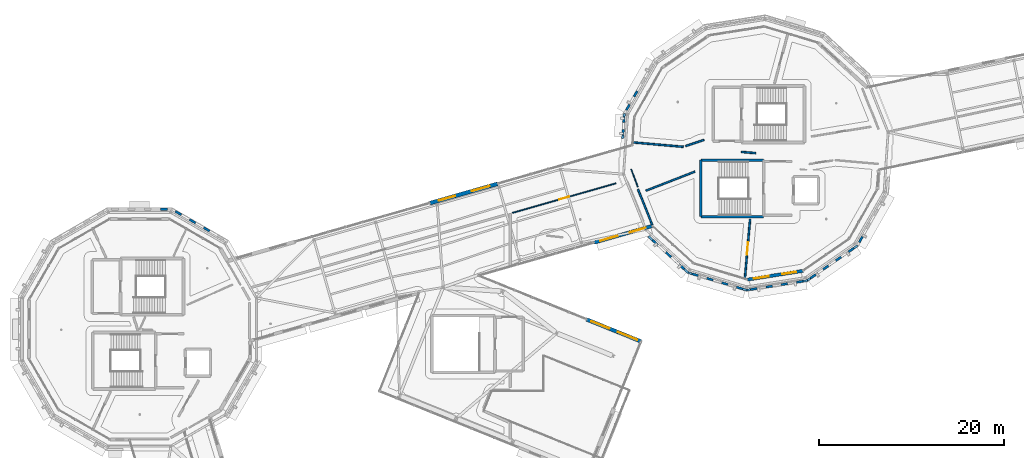
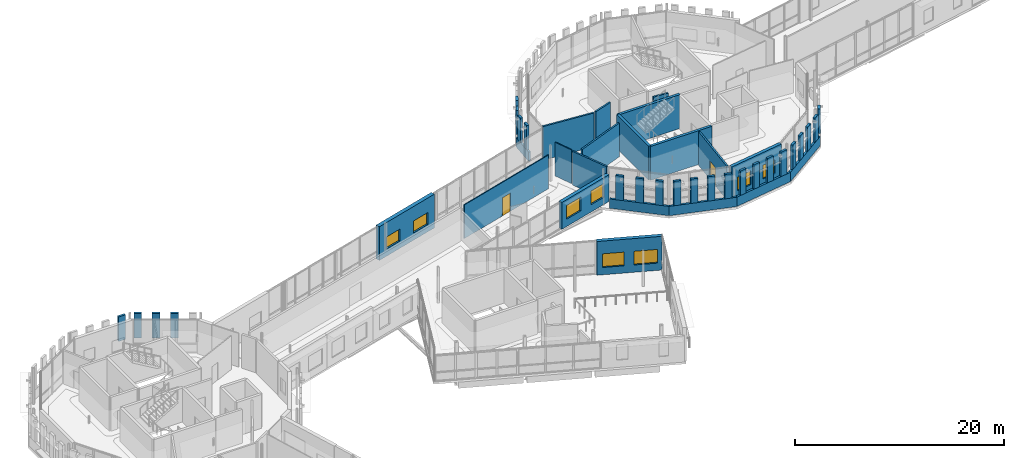
# One storey, part 95 of 125: 44 walls, 8 windows, 2 doors, 10 openings.
"""IFC4 building model written with IfcOpenShell, lengths in metres."""

from ifc_helpers import new_model, si_unit, direction, frame, frame_2d, origin, place, context, subcontext, project, spatial, rectangle, extrude, material, layer, layer_set, type_object, element, fill, save


model = new_model("IFC4")

# Units and contexts
model_context = context("Model", 3, precision=1e-05, world=origin(), true_north=direction((0.0, 1.0)))
body_context = subcontext(model_context, "Body", "Model", "MODEL_VIEW")
ifc_project = project(units=[si_unit("LENGTHUNIT", "METRE"), si_unit("AREAUNIT", "SQUARE_METRE"), si_unit("VOLUMEUNIT", "CUBIC_METRE"), si_unit("PLANEANGLEUNIT", "RADIAN"), si_unit("MASSUNIT", "GRAM", prefix="KILO")], contexts=[model_context])

# Site, building, storey
site_placement = place(None, origin())
site = spatial("IfcSite", under=ifc_project, at=site_placement, CompositionType="ELEMENT")
building_placement = place(site_placement, origin())
building = spatial("IfcBuilding", under=site, at=building_placement, Name="Wrenclough Park School", CompositionType="ELEMENT")
storey_placement = place(building_placement, frame((0.0, 0.0, 4.199951171875)))
storey = spatial("IfcBuildingStorey", under=building, at=storey_placement, Name="L01", CompositionType="ELEMENT", Elevation=4.199951171875)

# Walls
ifc_material_1 = material(Name="Perforated open-bond Staffordshire and Manchester brick screen pier", Category="masonry")
ifc_layer_1 = layer(ifc_material_1, 0.2451171875)
ifc_layer_set_1 = layer_set([ifc_layer_1], Name="Perforated open-bond Staffordshire and Manchester brick screen pier")
wall_type_1 = type_object("IfcWallType", Name="ENV-BS-PR245", PredefinedType="ELEMENTEDWALL", material=ifc_layer_set_1)
wall_1_placement = place(storey_placement, frame((24.060302734375, 100.095947265625, 1.090087890625), z_axis=(0.0, 0.0, 1.0), x_axis=(-0.865915952323, 0.500189527592, 0.0)))
element("IfcWall", 1, at=wall_1_placement, inside=storey, type_object=wall_type_1, Name="D3 L01 perforated brick screen pier 0278", PredefinedType="ELEMENTEDWALL", context=body_context, shape_type="SweptSolid", body=[
    extrude(rectangle(XDim=0.739013671875, YDim=0.2451171875, at=frame_2d((0.36962890625, 0.0))), origin(), (0.0, 0.0, 1.0), 2.849853515625),
])
wall_2_placement = place(storey_placement, frame((22.5361328125, 100.97607421875, 1.090087890625), z_axis=(0.0, 0.0, 1.0), x_axis=(-0.866059033742, 0.499941746681, 0.0)))
element("IfcWall", 2, at=wall_2_placement, inside=storey, type_object=wall_type_1, Name="D3 L01 perforated brick screen pier 0279", PredefinedType="ELEMENTEDWALL", context=body_context, shape_type="SweptSolid", body=[
    extrude(rectangle(XDim=0.73876953125, YDim=0.2451171875, at=frame_2d((0.369384765625, 0.0))), origin(), (0.0, 0.0, 1.0), 2.849853515625),
])
for number, where, z_axis, x_axis, name in (
    (3, (21.011962890625, 101.85595703125, 1.090087890625), (0.0, 0.0, 1.0), (-0.865915952323, 0.500189527592, 0.0), "D3 L01 perforated brick screen pier 0280"),
    (4, (19.509521484375, 102.45654296875, 1.090087890625), (0.0, 0.0, 1.0), (-1.0, 0.0, 0.0), "D3 L01 perforated brick screen pier 0281"),
):
    element("IfcWall", number, at=place(storey_placement, frame(where, z_axis=z_axis, x_axis=x_axis)), inside=storey, type_object=wall_type_1, Name=name, PredefinedType="ELEMENTEDWALL", context=body_context, shape_type="SweptSolid", body=[
        extrude(rectangle(XDim=0.739013671875, YDim=0.2451171875, at=frame_2d((0.36962890625, 0.0))), origin(), (0.0, 0.0, 1.0), 2.849853515625),
    ])
wall_3_placement = place(storey_placement, frame((70.19873046875, 115.207275390625, 1.090087890625), z_axis=(0.0, 0.0, 1.0), x_axis=(-0.493548557981, -0.869718242257, 0.0)))
element("IfcWall", 5, at=wall_3_placement, inside=storey, type_object=wall_type_1, Name="D4 L01 perforated brick screen pier 0327", PredefinedType="ELEMENTEDWALL", context=body_context, shape_type="SweptSolid", body=[
    extrude(rectangle(XDim=0.700927734375, YDim=0.2451171875, at=frame_2d((0.3505859375, 0.0))), origin(), (0.0, 0.0, 1.0), 2.849853515625),
])
wall_4_placement = place(storey_placement, frame((69.375, 113.755859375, 1.090087890625), z_axis=(0.0, 0.0, 1.0), x_axis=(-0.49339908657, -0.869803047461, 0.0)))
element("IfcWall", 6, at=wall_4_placement, inside=storey, type_object=wall_type_1, Name="D4 L01 perforated brick screen pier 0328", PredefinedType="ELEMENTEDWALL", context=body_context, shape_type="SweptSolid", body=[
    extrude(rectangle(XDim=0.701171875, YDim=0.2451171875, at=frame_2d((0.3505859375, 0.0))), origin(), (0.0, 0.0, 1.0), 2.849853515625),
])
wall_5_placement = place(storey_placement, frame((68.78662109375, 112.40478515625, 1.090087890625), z_axis=(0.0, 0.0, 1.0), x_axis=(-0.067277250526, -0.997734319126, 0.0)))
element("IfcWall", 7, at=wall_5_placement, inside=storey, type_object=wall_type_1, Name="D4 L01 perforated brick screen pier 0329", PredefinedType="ELEMENTEDWALL", context=body_context, shape_type="SweptSolid", body=[
    extrude(rectangle(XDim=0.576904296875, YDim=0.2451171875, at=frame_2d((0.28857421875, 0.0))), origin(), (0.0, 0.0, 1.0), 2.849853515625),
])
wall_6_placement = place(storey_placement, frame((68.694091796875, 111.034912109375, 1.090087890625), z_axis=(0.0, 0.0, 1.0), x_axis=(-0.066827806151, -0.997764523485, 0.0)))
element("IfcWall", 8, at=wall_6_placement, inside=storey, type_object=wall_type_1, Name="D4 L01 perforated brick screen pier 0330", PredefinedType="ELEMENTEDWALL", context=body_context, shape_type="SweptSolid", body=[
    extrude(rectangle(XDim=0.5771484375, YDim=0.2451171875, at=frame_2d((0.28857421875, 0.0))), origin(), (0.0, 0.0, 1.0), 2.849853515625),
])
wall_7_placement = place(storey_placement, frame((71.850830078125, 99.122314453125, 1.090087890625), z_axis=(0.0, 0.0, 1.0), x_axis=(0.738033381673, -0.674764201434, 0.0)))
element("IfcWall", 9, at=wall_7_placement, inside=storey, type_object=wall_type_1, Name="D4 L01 perforated brick screen pier 0331", PredefinedType="ELEMENTEDWALL", context=body_context, shape_type="SweptSolid", body=[
    extrude(rectangle(XDim=0.76025390625, YDim=0.2451171875, at=frame_2d((0.380126953125, 0.0))), origin(), (0.0, 0.0, 1.0), 2.849853515625),
])
wall_8_placement = place(storey_placement, frame((73.285888671875, 97.810546875, 1.090087890625), z_axis=(0.0, 0.0, 1.0), x_axis=(0.738047098779, -0.674749197839, 0.0)))
element("IfcWall", 10, at=wall_8_placement, inside=storey, type_object=wall_type_1, Name="D4 L01 perforated brick screen pier 0332", PredefinedType="ELEMENTEDWALL", context=body_context, shape_type="SweptSolid", body=[
    extrude(rectangle(XDim=0.759765625, YDim=0.2451171875, at=frame_2d((0.3798828125, 0.0))), origin(), (0.0, 0.0, 1.0), 2.849853515625),
])
wall_9_placement = place(storey_placement, frame((74.720703125, 96.4990234375, 1.090087890625), z_axis=(0.0, 0.0, 1.0), x_axis=(0.738033381673, -0.674764201434, 0.0)))
element("IfcWall", 11, at=wall_9_placement, inside=storey, type_object=wall_type_1, Name="D4 L01 perforated brick screen pier 0333", PredefinedType="ELEMENTEDWALL", context=body_context, shape_type="SweptSolid", body=[
    extrude(rectangle(XDim=0.76025390625, YDim=0.2451171875, at=frame_2d((0.380126953125, 0.0))), origin(), (0.0, 0.0, 1.0), 2.849853515625),
])
for number, where, z_axis, x_axis, name in (
    (12, (76.11279296875, 95.487060546875, 1.090087890625), (0.0, 0.0, 1.0), (0.957730379015, -0.287667379297, 0.0), "D4 L01 perforated brick screen pier 0334"),
    (13, (77.711181640625, 95.007080078125, 1.090087890625), (0.0, 0.0, 1.0), (0.957730379015, -0.287667379297, 0.0), "D4 L01 perforated brick screen pier 0335"),
    (14, (79.3095703125, 94.527099609375, 1.090087890625), (0.0, 0.0, 1.0), (0.957826285221, -0.287347885566, 0.0), "D4 L01 perforated brick screen pier 0336"),
    (15, (80.907958984375, 94.047119140625, 1.090087890625), (0.0, 0.0, 1.0), (0.957826285221, -0.287347885566, 0.0), "D4 L01 perforated brick screen pier 0337"),
    (16, (82.44091796875, 93.78759765625, 1.090087890625), (0.0, 0.0, 1.0), (0.987697931756, 0.156373896812, 0.0), "D4 L01 perforated brick screen pier 0338"),
    (17, (84.089111328125, 94.048583984375, 1.090087890625), (0.0, 0.0, 1.0), (0.987697931756, 0.156373896812, 0.0), "D4 L01 perforated brick screen pier 0339"),
    (18, (85.737548828125, 94.309814453125, 1.090087890625), (0.0, 0.0, 1.0), (0.987751666832, 0.156034113801, 0.0), "D4 L01 perforated brick screen pier 0340"),
    (19, (87.3857421875, 94.57080078125, 1.090087890625), (0.0, 0.0, 1.0), (0.987697931756, 0.156373896812, 0.0), "D4 L01 perforated brick screen pier 0341"),
    (20, (88.879638671875, 95.001953125, 1.090087890625), (0.0, 0.0, 1.0), (0.822004061083, 0.569481627064, 0.0), "D4 L01 perforated brick screen pier 0342"),
    (21, (90.251708984375, 95.952392578125, 1.090087890625), (0.0, 0.0, 1.0), (0.822004061083, 0.569481627064, 0.0), "D4 L01 perforated brick screen pier 0343"),
):
    element("IfcWall", number, at=place(storey_placement, frame(where, z_axis=z_axis, x_axis=x_axis)), inside=storey, type_object=wall_type_1, Name=name, PredefinedType="ELEMENTEDWALL", context=body_context, shape_type="SweptSolid", body=[
        extrude(rectangle(XDim=0.700927734375, YDim=0.2451171875, at=frame_2d((0.3505859375, 0.0))), origin(), (0.0, 0.0, 1.0), 2.849853515625),
    ])
wall_10_placement = place(storey_placement, frame((91.623291015625, 96.902587890625, 1.090087890625), z_axis=(0.0, 0.0, 1.0), x_axis=(0.821953993254, 0.569553889438, 0.0)))
element("IfcWall", 22, at=wall_10_placement, inside=storey, type_object=wall_type_1, Name="D4 L01 perforated brick screen pier 0344", PredefinedType="ELEMENTEDWALL", context=body_context, shape_type="SweptSolid", body=[
    extrude(rectangle(XDim=0.701171875, YDim=0.2451171875, at=frame_2d((0.3505859375, 0.0))), origin(), (0.0, 0.0, 1.0), 2.849853515625),
])
for number, where, z_axis, x_axis, name in (
    (23, (92.995361328125, 97.85302734375, 1.090087890625), (0.0, 0.0, 1.0), (0.822004061083, 0.569481627064, 0.0), "D4 L01 perforated brick screen pier 0345"),
    (24, (94.154052734375, 98.8896484375, 1.090087890625), (0.0, 0.0, 1.0), (0.493548557981, 0.869718242257, 0.0), "D4 L01 perforated brick screen pier 0346"),
):
    element("IfcWall", number, at=place(storey_placement, frame(where, z_axis=z_axis, x_axis=x_axis)), inside=storey, type_object=wall_type_1, Name=name, PredefinedType="ELEMENTEDWALL", context=body_context, shape_type="SweptSolid", body=[
        extrude(rectangle(XDim=0.700927734375, YDim=0.2451171875, at=frame_2d((0.3505859375, 0.0))), origin(), (0.0, 0.0, 1.0), 2.849853515625),
    ])
ifc_material_2 = material(Name="Open-bond Manchester multi-stock brick spandrel screen", Category="masonry")
ifc_layer_2 = layer(ifc_material_2, 0.22509765625)
ifc_layer_set_2 = layer_set([ifc_layer_2], Name="Open-bond Manchester multi-stock brick spandrel screen")
wall_type_2 = type_object("IfcWallType", Name="ENV-BS-SP225", PredefinedType="ELEMENTEDWALL", material=ifc_layer_set_2)
wall_11_placement = place(storey_placement, frame((68.813232421875, 112.802001953125, 0.0), z_axis=(0.0, 0.0, 1.0), x_axis=(-0.067209356194, -0.997738894922, 0.0)))
element("IfcWall", 25, at=wall_11_placement, inside=storey, type_object=wall_type_2, Name="D4 L01 open-bond brick screen spandrel 0089", PredefinedType="ELEMENTEDWALL", context=body_context, shape_type="SweptSolid", body=[
    extrude(rectangle(XDim=2.74609375, YDim=0.22509765625, at=frame_2d((1.373046875, 0.0))), origin(), (0.0, 0.0, 1.0), 1.090087890625),
])
wall_12_placement = place(storey_placement, frame((71.413818359375, 99.521484375, 0.0), z_axis=(0.0, 0.0, 1.0), x_axis=(0.73814554437, -0.674641501337, 0.0)))
element("IfcWall", 26, at=wall_12_placement, inside=storey, type_object=wall_type_2, Name="D4 L01 open-bond brick screen spandrel 0090", PredefinedType="ELEMENTEDWALL", context=body_context, shape_type="SweptSolid", body=[
    extrude(rectangle(XDim=5.83203125, YDim=0.22509765625, at=frame_2d((2.916015625, 0.0))), origin(), (0.0, 0.0, 1.0), 1.090087890625),
])
for number, where, z_axis, x_axis, name in (
    (27, (75.649169921875, 95.626220703125, 0.0), (0.0, 0.0, 1.0), (0.957749751871, -0.287602873404, 0.0), "D4 L01 open-bond brick screen spandrel 0091"),
    (28, (81.962890625, 93.7119140625, 0.0), (0.0, 0.0, 1.0), (0.987690206406, 0.156422684322, 0.0), "D4 L01 open-bond brick screen spandrel 0092"),
    (29, (88.48193359375, 94.726318359375, 0.0), (0.0, 0.0, 1.0), (0.822009139105, 0.56947429725, 0.0), "D4 L01 open-bond brick screen spandrel 0093"),
):
    element("IfcWall", number, at=place(storey_placement, frame(where, z_axis=z_axis, x_axis=x_axis)), inside=storey, type_object=wall_type_2, Name=name, PredefinedType="ELEMENTEDWALL", context=body_context, shape_type="SweptSolid", body=[
        extrude(rectangle(XDim=6.675537109375, YDim=0.22509765625, at=frame_2d((3.337890625, 0.0))), origin(), (0.0, 0.0, 1.0), 1.090087890625),
    ])

# Wall, openings, windows
ifc_material_3 = material(Name="Staffordshire blue-grey brick and Concrete C35/45 inner leaf", Category="masonry")
ifc_layer_3 = layer(ifc_material_3, 0.35009765625)
ifc_layer_set_3 = layer_set([ifc_layer_3], Name="Staffordshire blue-grey brick and Concrete C35/45 inner leaf")
wall_type_3 = type_object("IfcWallType", Name="ENV-EW-350", PredefinedType="SOLIDWALL", material=ifc_layer_set_3)
wall_13_placement = place(storey_placement, frame((88.092041015625, 95.80615234375, 0.0), z_axis=(0.0, 0.0, 1.0), x_axis=(-0.987690665759, -0.156419783824, 0.0)))
wall_13 = element("IfcWall", 30, at=wall_13_placement, inside=storey, type_object=wall_type_3, Name="L01 insulated brick external wall 0122", PredefinedType="SOLIDWALL", context=body_context, shape_type="SweptSolid", body=[
    extrude(rectangle(XDim=6.087158203125, YDim=0.35009765625, at=frame_2d((3.04345703125, 0.0))), origin(), (0.0, 0.0, 1.0), 3.93994140625),
])
opening_1_placement = place(wall_13_placement, frame((0.771728515625, 0.0, 0.85009765625)))
opening_1 = element("IfcOpeningElement", 31, at=opening_1_placement, cuts=wall_13, Name="Opening WN-17", PredefinedType="OPENING", context=body_context, shape_type="SweptSolid", body=[
    extrude(rectangle(XDim=1.5, YDim=1.60009765625, at=frame_2d((0.75, 0.800048828125))), frame((0.0, 0.18505859375, 0.0), z_axis=(0.0, -1.0, 0.0), x_axis=(1.0, 0.0, 0.0)), (0.0, 0.0, 1.0), 0.3701171875),
])
opening_2_placement = place(wall_13_placement, frame((3.740234375, 0.0, 0.85009765625)))
opening_2 = element("IfcOpeningElement", 32, at=opening_2_placement, cuts=wall_13, Name="Opening WN-18", PredefinedType="OPENING", context=body_context, shape_type="SweptSolid", body=[
    extrude(rectangle(XDim=1.64990234375, YDim=1.60009765625, at=frame_2d((0.824951171875, 0.800048828125))), frame((0.0, 0.18505859375, 0.0), z_axis=(0.0, -1.0, 0.0), x_axis=(1.0, 0.0, 0.0)), (0.0, 0.0, 1.0), 0.3701171875),
])
ifc_material_4 = material(Name="Thermally broken aluminium and double-glazed low-e glass", Category="aluminium")
window_type_1 = type_object("IfcWindowType", Name="ENV-WN-17", PartitioningType="DOUBLE_PANEL_VERTICAL", PredefinedType="WINDOW", material=ifc_material_4)
window_1_placement = place(opening_1_placement, origin())
window_1 = element("IfcWindow", 33, at=window_1_placement, inside=storey, type_object=window_type_1, Name="L01 scheduled facade window 0184", OverallHeight=1.60009765625, OverallWidth=1.5, PartitioningType="SINGLE_PANEL", PredefinedType="WINDOW", context=body_context, shape_type="SweptSolid", body=[
    extrude(rectangle(XDim=1.5, YDim=1.60009765625, at=frame_2d((0.75, 0.800048828125))), frame((0.0, 0.030029296875, 0.0), z_axis=(0.0, -1.0, 0.0), x_axis=(1.0, 0.0, 0.0)), (0.0, 0.0, 1.0), 0.06005859375),
])
fill(opening_1, window_1)
window_type_2 = type_object("IfcWindowType", Name="ENV-WN-18", PartitioningType="DOUBLE_PANEL_VERTICAL", PredefinedType="WINDOW", material=ifc_material_4)
window_2_placement = place(opening_2_placement, origin())
window_2 = element("IfcWindow", 34, at=window_2_placement, inside=storey, type_object=window_type_2, Name="L01 scheduled facade window 0185", OverallHeight=1.60009765625, OverallWidth=1.64990234375, PartitioningType="SINGLE_PANEL", PredefinedType="WINDOW", context=body_context, shape_type="SweptSolid", body=[
    extrude(rectangle(XDim=1.64990234375, YDim=1.60009765625, at=frame_2d((0.824951171875, 0.800048828125))), frame((0.0, 0.030029296875, 0.0), z_axis=(0.0, -1.0, 0.0), x_axis=(1.0, 0.0, 0.0)), (0.0, 0.0, 1.0), 0.06005859375),
])
fill(opening_2, window_2)

ifc_material_5 = material(Name="Manchester multi-stock brick and Concrete C35/45 inner leaf", Category="masonry")
ifc_layer_4 = layer(ifc_material_5, 0.3798828125)
ifc_layer_set_4 = layer_set([ifc_layer_4], Name="Manchester multi-stock brick and Concrete C35/45 inner leaf")
wall_type_4 = type_object("IfcWallType", Name="ENV-EW-380", PredefinedType="SOLIDWALL", material=ifc_layer_set_4)
wall_14_placement = place(storey_placement, frame((71.826416015625, 100.648193359375, 0.0), z_axis=(0.0, 0.0, 1.0), x_axis=(-0.961523947641, -0.274721127897, 0.0)))
wall_14 = element("IfcWall", 35, at=wall_14_placement, inside=storey, type_object=wall_type_4, Name="L01 insulated brick external wall 0123", PredefinedType="SOLIDWALL", context=body_context, shape_type="SweptSolid", body=[
    extrude(rectangle(XDim=6.5087890625, YDim=0.3798828125, at=frame_2d((3.25439453125, 0.0))), origin(), (0.0, 0.0, 1.0), 3.132080078125),
])
opening_3_placement = place(wall_14_placement, frame((0.727294921875, 0.0, 0.85009765625)))
opening_3 = element("IfcOpeningElement", 36, at=opening_3_placement, cuts=wall_14, Name="Opening WN-19", PredefinedType="OPENING", context=body_context, shape_type="SweptSolid", body=[
    extrude(rectangle(XDim=1.800048828125, YDim=1.60009765625, at=frame_2d((0.89990234375, 0.800048828125))), frame((0.0, 0.199951171875, 0.0), z_axis=(0.0, -1.0, 0.0), x_axis=(1.0, 0.0, 0.0)), (0.0, 0.0, 1.0), 0.39990234375),
])
opening_4_placement = place(wall_14_placement, frame((3.906494140625, 0.0, 0.85009765625)))
opening_4 = element("IfcOpeningElement", 37, at=opening_4_placement, cuts=wall_14, Name="Opening WN-20", PredefinedType="OPENING", context=body_context, shape_type="SweptSolid", body=[
    extrude(rectangle(XDim=1.949951171875, YDim=1.60009765625, at=frame_2d((0.97509765625, 0.800048828125))), frame((0.0, 0.199951171875, 0.0), z_axis=(0.0, -1.0, 0.0), x_axis=(1.0, 0.0, 0.0)), (0.0, 0.0, 1.0), 0.39990234375),
])
window_type_3 = type_object("IfcWindowType", Name="ENV-WN-19", PartitioningType="DOUBLE_PANEL_VERTICAL", PredefinedType="WINDOW", material=ifc_material_4)
window_3_placement = place(opening_3_placement, origin())
window_3 = element("IfcWindow", 38, at=window_3_placement, inside=storey, type_object=window_type_3, Name="L01 scheduled facade window 0186", OverallHeight=1.60009765625, OverallWidth=1.800048828125, PartitioningType="SINGLE_PANEL", PredefinedType="WINDOW", context=body_context, shape_type="SweptSolid", body=[
    extrude(rectangle(XDim=1.800048828125, YDim=1.60009765625, at=frame_2d((0.89990234375, 0.800048828125))), frame((0.0, 0.030029296875, 0.0), z_axis=(0.0, -1.0, 0.0), x_axis=(1.0, 0.0, 0.0)), (0.0, 0.0, 1.0), 0.06005859375),
])
fill(opening_3, window_3)
window_type_4 = type_object("IfcWindowType", Name="ENV-WN-20", PartitioningType="DOUBLE_PANEL_VERTICAL", PredefinedType="WINDOW", material=ifc_material_4)
window_4_placement = place(opening_4_placement, origin())
window_4 = element("IfcWindow", 39, at=window_4_placement, inside=storey, type_object=window_type_4, Name="L01 scheduled facade window 0187", OverallHeight=1.60009765625, OverallWidth=1.949951171875, PartitioningType="SINGLE_PANEL", PredefinedType="WINDOW", context=body_context, shape_type="SweptSolid", body=[
    extrude(rectangle(XDim=1.949951171875, YDim=1.60009765625, at=frame_2d((0.97509765625, 0.800048828125))), frame((0.0, 0.030029296875, 0.0), z_axis=(0.0, -1.0, 0.0), x_axis=(1.0, 0.0, 0.0)), (0.0, 0.0, 1.0), 0.06005859375),
])
fill(opening_4, window_4)

ifc_material_6 = material(Name="Staffordshire blue-grey brick and Concrete C40/50 acoustic leaf", Category="masonry")
ifc_layer_5 = layer(ifc_material_6, 0.39990234375)
ifc_layer_set_5 = layer_set([ifc_layer_5], Name="Staffordshire blue-grey brick and Concrete C40/50 acoustic leaf")
wall_type_5 = type_object("IfcWallType", Name="ENV-EW-400", PredefinedType="SOLIDWALL", material=ifc_layer_set_5)
wall_15_placement = place(storey_placement, frame((64.760498046875, 90.5537109375, 0.0), z_axis=(0.0, 0.0, 1.0), x_axis=(0.927172369867, -0.374635017792, 0.0)))
wall_15 = element("IfcWall", 40, at=wall_15_placement, inside=storey, type_object=wall_type_5, Name="L01 insulated brick external wall 0124", PredefinedType="SOLIDWALL", context=body_context, shape_type="SweptSolid", body=[
    extrude(rectangle(XDim=6.314208984375, YDim=0.39990234375, at=frame_2d((3.1572265625, 0.0))), origin(), (0.0, 0.0, 1.0), 3.93994140625),
])
opening_5_placement = place(wall_15_placement, frame((0.528564453125, 0.0, 0.85009765625)))
opening_5 = element("IfcOpeningElement", 41, at=opening_5_placement, cuts=wall_15, Name="Opening WN-21", PredefinedType="OPENING", context=body_context, shape_type="SweptSolid", body=[
    extrude(rectangle(XDim=2.10009765625, YDim=1.60009765625, at=frame_2d((1.050048828125, 0.800048828125))), frame((0.0, 0.2099609375, 0.0), z_axis=(0.0, -1.0, 0.0), x_axis=(1.0, 0.0, 0.0)), (0.0, 0.0, 1.0), 0.419921875),
])
opening_6_placement = place(wall_15_placement, frame((3.610595703125, 0.0, 0.85009765625)))
opening_6 = element("IfcOpeningElement", 42, at=opening_6_placement, cuts=wall_15, Name="Opening WN-22", PredefinedType="OPENING", context=body_context, shape_type="SweptSolid", body=[
    extrude(rectangle(XDim=2.25, YDim=1.60009765625, at=frame_2d((1.125, 0.800048828125))), frame((0.0, 0.2099609375, 0.0), z_axis=(0.0, -1.0, 0.0), x_axis=(1.0, 0.0, 0.0)), (0.0, 0.0, 1.0), 0.419921875),
])
window_type_5 = type_object("IfcWindowType", Name="ENV-WN-21", PartitioningType="DOUBLE_PANEL_VERTICAL", PredefinedType="WINDOW", material=ifc_material_4)
window_5_placement = place(opening_5_placement, origin())
window_5 = element("IfcWindow", 43, at=window_5_placement, inside=storey, type_object=window_type_5, Name="L01 scheduled facade window 0188", OverallHeight=1.60009765625, OverallWidth=2.10009765625, PartitioningType="SINGLE_PANEL", PredefinedType="WINDOW", context=body_context, shape_type="SweptSolid", body=[
    extrude(rectangle(XDim=2.10009765625, YDim=1.60009765625, at=frame_2d((1.050048828125, 0.800048828125))), frame((0.0, 0.030029296875, 0.0), z_axis=(0.0, -1.0, 0.0), x_axis=(1.0, 0.0, 0.0)), (0.0, 0.0, 1.0), 0.06005859375),
])
fill(opening_5, window_5)
window_type_6 = type_object("IfcWindowType", Name="ENV-WN-22", PartitioningType="DOUBLE_PANEL_VERTICAL", PredefinedType="WINDOW", material=ifc_material_4)
window_6_placement = place(opening_6_placement, origin())
window_6 = element("IfcWindow", 44, at=window_6_placement, inside=storey, type_object=window_type_6, Name="L01 scheduled facade window 0189", OverallHeight=1.60009765625, OverallWidth=2.25, PartitioningType="SINGLE_PANEL", PredefinedType="WINDOW", context=body_context, shape_type="SweptSolid", body=[
    extrude(rectangle(XDim=2.25, YDim=1.60009765625, at=frame_2d((1.125, 0.800048828125))), frame((0.0, 0.030029296875, 0.0), z_axis=(0.0, -1.0, 0.0), x_axis=(1.0, 0.0, 0.0)), (0.0, 0.0, 1.0), 0.06005859375),
])
fill(opening_6, window_6)

ifc_material_7 = material(Name="Insulated brick-clad sports hall wall Concrete C40/50", Category="masonry")
ifc_layer_6 = layer(ifc_material_7, 0.425048828125)
ifc_layer_set_6 = layer_set([ifc_layer_6], Name="Insulated brick-clad sports hall wall Concrete C40/50")
wall_type_6 = type_object("IfcWallType", Name="ENV-EW-425", PredefinedType="SOLIDWALL", material=ifc_layer_set_6)
wall_16_placement = place(storey_placement, frame((47.8427734375, 103.1142578125, 0.0), z_axis=(0.0, 0.0, 1.0), x_axis=(0.96152151514, 0.274729641506, 0.0)))
wall_16 = element("IfcWall", 45, at=wall_16_placement, inside=storey, type_object=wall_type_6, Name="L01 insulated brick external wall 0085", PredefinedType="SOLIDWALL", context=body_context, shape_type="SweptSolid", body=[
    extrude(rectangle(XDim=7.574951171875, YDim=0.425048828125, at=frame_2d((3.78759765625, 0.0))), origin(), (0.0, 0.0, 1.0), 3.93994140625),
])
opening_7_placement = place(wall_16_placement, frame((0.96875, 0.0, 0.85009765625)))
opening_7 = element("IfcOpeningElement", 46, at=opening_7_placement, cuts=wall_16, Name="Opening WN-08", PredefinedType="OPENING", context=body_context, shape_type="SweptSolid", body=[
    extrude(rectangle(XDim=1.85009765625, YDim=1.39990234375, at=frame_2d((0.925048828125, 0.699951171875))), frame((0.0, 0.222412109375, 0.0), z_axis=(0.0, -1.0, 0.0), x_axis=(1.0, 0.0, 0.0)), (0.0, 0.0, 1.0), 0.445068359375),
])
opening_8_placement = place(wall_16_placement, frame((4.681396484375, 0.0, 0.85009765625)))
opening_8 = element("IfcOpeningElement", 47, at=opening_8_placement, cuts=wall_16, Name="Opening WN-09", PredefinedType="OPENING", context=body_context, shape_type="SweptSolid", body=[
    extrude(rectangle(XDim=2.0, YDim=1.39990234375, at=frame_2d((1.0, 0.699951171875))), frame((0.0, 0.222412109375, 0.0), z_axis=(0.0, -1.0, 0.0), x_axis=(1.0, 0.0, 0.0)), (0.0, 0.0, 1.0), 0.445068359375),
])
window_type_7 = type_object("IfcWindowType", Name="ENV-WN-08", PartitioningType="DOUBLE_PANEL_VERTICAL", PredefinedType="WINDOW", material=ifc_material_4)
window_7_placement = place(opening_7_placement, origin())
window_7 = element("IfcWindow", 48, at=window_7_placement, inside=storey, type_object=window_type_7, Name="L01 scheduled facade window 0119", OverallHeight=1.39990234375, OverallWidth=1.85009765625, PartitioningType="SINGLE_PANEL", PredefinedType="WINDOW", context=body_context, shape_type="SweptSolid", body=[
    extrude(rectangle(XDim=1.85009765625, YDim=1.39990234375, at=frame_2d((0.925048828125, 0.699951171875))), frame((0.0, 0.030029296875, 0.0), z_axis=(0.0, -1.0, 0.0), x_axis=(1.0, 0.0, 0.0)), (0.0, 0.0, 1.0), 0.06005859375),
])
fill(opening_7, window_7)
window_type_8 = type_object("IfcWindowType", Name="ENV-WN-09", PartitioningType="DOUBLE_PANEL_VERTICAL", PredefinedType="WINDOW", material=ifc_material_4)
window_8_placement = place(opening_8_placement, origin())
window_8 = element("IfcWindow", 49, at=window_8_placement, inside=storey, type_object=window_type_8, Name="L01 scheduled facade window 0120", OverallHeight=1.39990234375, OverallWidth=2.0, PartitioningType="SINGLE_PANEL", PredefinedType="WINDOW", context=body_context, shape_type="SweptSolid", body=[
    extrude(rectangle(XDim=2.0, YDim=1.39990234375, at=frame_2d((1.0, 0.699951171875))), frame((0.0, 0.030029296875, 0.0), z_axis=(0.0, -1.0, 0.0), x_axis=(1.0, 0.0, 0.0)), (0.0, 0.0, 1.0), 0.06005859375),
])
fill(opening_8, window_8)

# Walls
ifc_material_8 = material(Name="Concrete C40/50", Category="concrete")
ifc_layer_7 = layer(ifc_material_8, 0.2900390625)
ifc_layer_set_7 = layer_set([ifc_layer_7], Name="Concrete C40/50")
wall_type_7 = type_object("IfcWallType", Name="INT-CW-290", PredefinedType="SHEAR", material=ifc_layer_set_7)
for number, where, z_axis, x_axis, name in (
    (50, (77.054931640625, 101.655029296875, 0.0), (0.0, 0.0, 1.0), (1.0, 0.0, 0.0), "Core C4 L01 south shear wall"),
    (51, (83.844970703125, 107.7451171875, 0.0), (0.0, 0.0, 1.0), (-1.0, 0.0, 0.0), "Core C4 L01 north shear wall"),
):
    element("IfcWall", number, at=place(storey_placement, frame(where, z_axis=z_axis, x_axis=x_axis)), inside=storey, type_object=wall_type_7, Name=name, PredefinedType="SHEAR", context=body_context, shape_type="SweptSolid", body=[
        extrude(rectangle(XDim=6.7900390625, YDim=0.2900390625, at=frame_2d((3.39501953125, 0.0))), origin(), (0.0, 0.0, 1.0), 3.949951171875),
    ])
wall_17_placement = place(storey_placement, frame((77.054931640625, 107.7451171875, 0.0), z_axis=(0.0, 0.0, 1.0), x_axis=(0.0, -1.0, 0.0)))
element("IfcWall", 52, at=wall_17_placement, inside=storey, type_object=wall_type_7, Name="Core C4 L01 west shear wall", PredefinedType="SHEAR", context=body_context, shape_type="SweptSolid", body=[
    extrude(rectangle(XDim=6.090087890625, YDim=0.2900390625, at=frame_2d((3.044921875, 0.0))), origin(), (0.0, 0.0, 1.0), 3.949951171875),
])

# Wall, opening, door
ifc_material_9 = material(Name="Lightweight fire-rated store partition", Category="gypsum")
ifc_layer_8 = layer(ifc_material_9, 0.110107421875)
ifc_layer_set_8 = layer_set([ifc_layer_8], Name="Lightweight fire-rated store partition")
wall_type_8 = type_object("IfcWallType", Name="INT-PW-110", PredefinedType="PARTITIONING", material=ifc_layer_set_8)
wall_18_placement = place(storey_placement, frame((67.90771484375, 105.2490234375, 0.0), z_axis=(0.0, 0.0, 1.0), x_axis=(-0.961519188141, -0.274737785602, 0.0)))
wall_18 = element("IfcWall", 53, at=wall_18_placement, inside=storey, type_object=wall_type_8, Name="L01 internal partition 0294", PredefinedType="PARTITIONING", context=body_context, shape_type="SweptSolid", body=[
    extrude(rectangle(XDim=11.614501953125, YDim=0.110107421875, at=frame_2d((5.80712890625, 0.0))), origin(), (0.0, 0.0, 1.0), 3.929931640625),
])
opening_9_placement = place(wall_18_placement, frame((5.267333984375, 0.0, 0.0)))
opening_9 = element("IfcOpeningElement", 54, at=opening_9_placement, cuts=wall_18, Name="Opening DR-L01-055", PredefinedType="OPENING", context=body_context, shape_type="SweptSolid", body=[
    extrude(rectangle(XDim=1.080078125, YDim=2.1201171875, at=frame_2d((0.5400390625, 1.06005859375))), frame((0.0, 0.06494140625, 0.0), z_axis=(0.0, -1.0, 0.0), x_axis=(1.0, 0.0, 0.0)), (0.0, 0.0, 1.0), 0.130126953125),
])
ifc_material_10 = material(Name="Sixth-form seminar room door assembly", Category="wood")
door_type_1 = type_object("IfcDoorType", Name="INT-DR-CL108", OperationType="NOTDEFINED", PredefinedType="DOOR", material=ifc_material_10)
door_1_placement = place(opening_9_placement, origin())
door_1 = element("IfcDoor", 55, at=door_1_placement, inside=storey, type_object=door_type_1, Name="Sixth Form Dining Balcony door DR-L01-055", OperationType="SINGLE_SWING_RIGHT", OverallHeight=2.1201171875, OverallWidth=1.080078125, PredefinedType="DOOR", context=body_context, shape_type="SweptSolid", body=[
    extrude(rectangle(XDim=1.080078125, YDim=2.1201171875, at=frame_2d((0.5400390625, 1.06005859375))), frame((0.0, 0.02490234375, 0.0), z_axis=(0.0, -1.0, 0.0), x_axis=(1.0, 0.0, 0.0)), (0.0, 0.0, 1.0), 0.050048828125),
])
fill(opening_9, door_1)

# Walls
wall_19_placement = place(storey_placement, frame((70.26708984375, 104.85791015625, 0.0), z_axis=(0.0, 0.0, 1.0), x_axis=(-0.353094901798, 0.935587510778, 0.0)))
element("IfcWall", 56, at=wall_19_placement, inside=storey, type_object=wall_type_8, Name="L01 internal partition 0297", PredefinedType="PARTITIONING", context=body_context, shape_type="SweptSolid", body=[
    extrude(rectangle(XDim=2.034912109375, YDim=0.110107421875, at=frame_2d((1.017578125, 0.0))), origin(), (0.0, 0.0, 1.0), 3.929931640625),
])
ifc_material_11 = material(Name="Laboratory fire and acoustic partition", Category="gypsum")
ifc_layer_9 = layer(ifc_material_11, 0.18505859375)
ifc_layer_set_9 = layer_set([ifc_layer_9], Name="Laboratory fire and acoustic partition")
wall_type_9 = type_object("IfcWallType", Name="INT-PW-185", PredefinedType="PARTITIONING", material=ifc_layer_set_9)
wall_20_placement = place(storey_placement, frame((81.431396484375, 108.63720703125, 0.0), z_axis=(0.0, 0.0, 1.0), x_axis=(0.996196241539, -0.08713809926, 0.0)))
element("IfcWall", 57, at=wall_20_placement, inside=storey, type_object=wall_type_9, Name="L01 internal partition 0249", PredefinedType="PARTITIONING", context=body_context, shape_type="SweptSolid", body=[
    extrude(rectangle(XDim=1.57470703125, YDim=0.18505859375, at=frame_2d((0.787353515625, 0.0))), origin(), (0.0, 0.0, 1.0), 3.929931640625),
])
wall_21_placement = place(storey_placement, frame((69.813720703125, 109.65380859375, 0.0), z_axis=(0.0, 0.0, 1.0), x_axis=(0.996193422883, -0.087170317223, 0.0)))
element("IfcWall", 58, at=wall_21_placement, inside=storey, type_object=wall_type_9, Name="L01 internal partition 0251", PredefinedType="PARTITIONING", context=body_context, shape_type="SweptSolid", body=[
    extrude(rectangle(XDim=5.39697265625, YDim=0.18505859375, at=frame_2d((2.698486328125, 0.0))), origin(), (0.0, 0.0, 1.0), 3.929931640625),
])
wall_22_placement = place(storey_placement, frame((75.427490234375, 109.26220703125, 0.0), z_axis=(0.0, 0.0, 1.0), x_axis=(0.948904309967, 0.315563956315, 0.0)))
element("IfcWall", 59, at=wall_22_placement, inside=storey, type_object=wall_type_9, Name="L01 internal partition 0252", PredefinedType="PARTITIONING", context=body_context, shape_type="SweptSolid", body=[
    extrude(rectangle(XDim=2.0966796875, YDim=0.18505859375, at=frame_2d((1.04833984375, 0.0))), origin(), (0.0, 0.0, 1.0), 3.929931640625),
])
wall_23_placement = place(storey_placement, frame((76.416015625, 106.511962890625, 0.0), z_axis=(0.0, 0.0, 1.0), x_axis=(-0.931696873331, -0.363236749552, 0.0)))
element("IfcWall", 60, at=wall_23_placement, inside=storey, type_object=wall_type_9, Name="L01 internal partition 0253", PredefinedType="PARTITIONING", context=body_context, shape_type="SweptSolid", body=[
    extrude(rectangle(XDim=5.66259765625, YDim=0.18505859375, at=frame_2d((2.831298828125, 0.0))), origin(), (0.0, 0.0, 1.0), 3.929931640625),
])
wall_24_placement = place(storey_placement, frame((70.280517578125, 104.608642578125, 0.0), z_axis=(0.0, 0.0, 1.0), x_axis=(0.372242733262, -0.928135414438, 0.0)))
element("IfcWall", 61, at=wall_24_placement, inside=storey, type_object=wall_type_9, Name="L01 internal partition 0254", PredefinedType="PARTITIONING", context=body_context, shape_type="SweptSolid", body=[
    extrude(rectangle(XDim=4.14892578125, YDim=0.18505859375, at=frame_2d((2.074462890625, 0.0))), origin(), (0.0, 0.0, 1.0), 3.929931640625),
])

# Wall, opening, door
wall_25_placement = place(storey_placement, frame((81.822021484375, 95.035888671875, 0.0), z_axis=(0.0, 0.0, 1.0), x_axis=(0.08717408664, 0.996193093039, 0.0)))
wall_25 = element("IfcWall", 62, at=wall_25_placement, inside=storey, type_object=wall_type_9, Name="L01 internal partition 0255", PredefinedType="PARTITIONING", context=body_context, shape_type="SweptSolid", body=[
    extrude(rectangle(XDim=6.36572265625, YDim=0.18505859375, at=frame_2d((3.182861328125, 0.0))), origin(), (0.0, 0.0, 1.0), 3.929931640625),
])
opening_10_placement = place(wall_25_placement, frame((2.5029296875, 0.0, 0.0)))
opening_10 = element("IfcOpeningElement", 63, at=opening_10_placement, cuts=wall_25, Name="Opening DR-L01-044", PredefinedType="OPENING", context=body_context, shape_type="SweptSolid", body=[
    extrude(rectangle(XDim=1.360107421875, YDim=2.139892578125, at=frame_2d((0.68017578125, 1.06982421875))), frame((0.0, 0.1025390625, 0.0), z_axis=(0.0, -1.0, 0.0), x_axis=(1.0, 0.0, 0.0)), (0.0, 0.0, 1.0), 0.205078125),
])
ifc_material_12 = material(Name="Senior science laboratory leaf-and-a-half door assembly", Category="wood")
door_type_2 = type_object("IfcDoorType", Name="INT-DR-LAB136", OperationType="NOTDEFINED", PredefinedType="DOOR", material=ifc_material_12)
door_2_placement = place(opening_10_placement, origin())
door_2 = element("IfcDoor", 64, at=door_2_placement, inside=storey, type_object=door_type_2, Name="Junior Science Laboratory 2 door DR-L01-044", OperationType="SINGLE_SWING_LEFT", OverallHeight=2.139892578125, OverallWidth=1.360107421875, PredefinedType="DOOR", context=body_context, shape_type="SweptSolid", body=[
    extrude(rectangle(XDim=1.360107421875, YDim=2.139892578125, at=frame_2d((0.68017578125, 1.06982421875))), frame((0.0, 0.02490234375, 0.0), z_axis=(0.0, -1.0, 0.0), x_axis=(1.0, 0.0, 0.0)), (0.0, 0.0, 1.0), 0.050048828125),
])
fill(opening_10, door_2)

save(model, "model.ifc")
